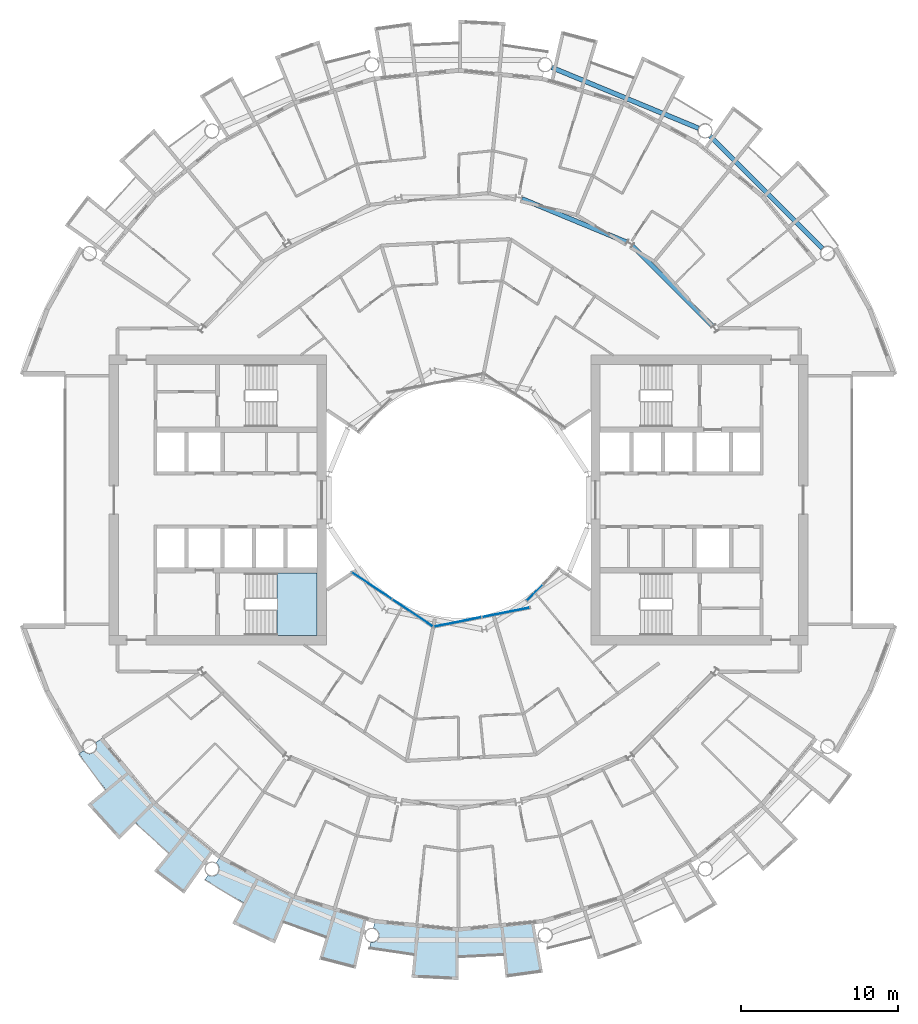
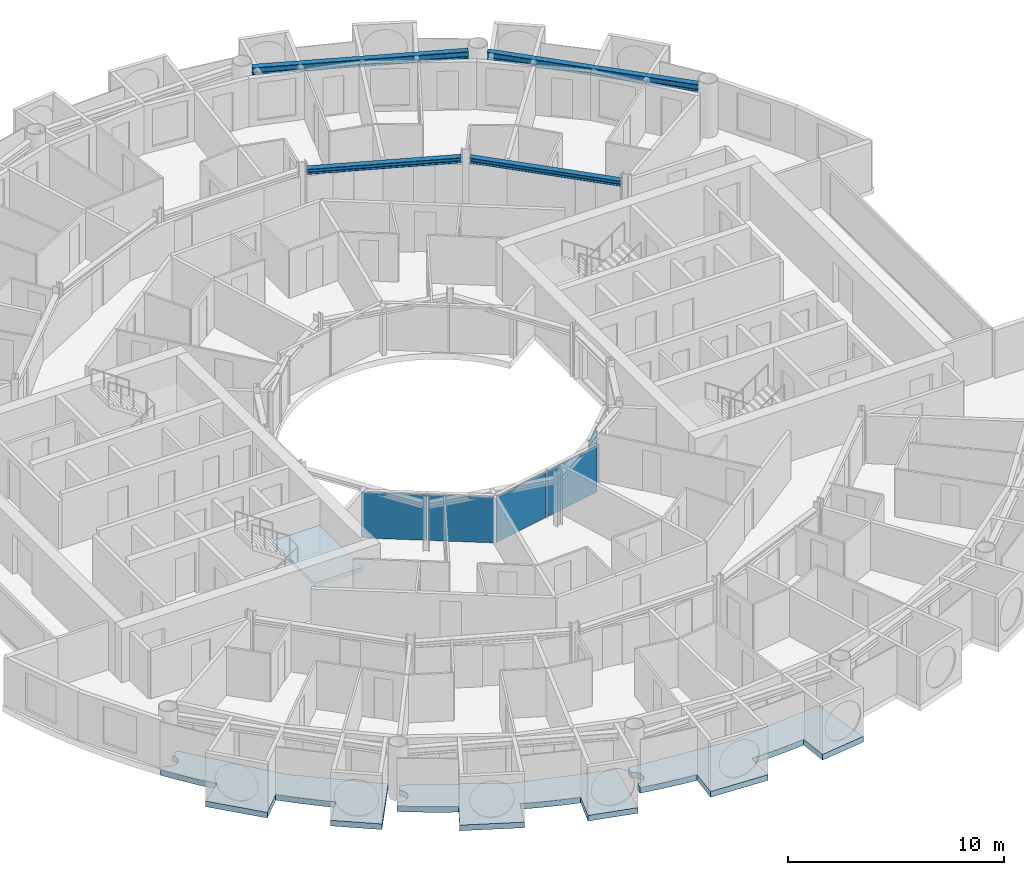
# One storey, part 10 of 26: 5 plates, 4 beams, 4 slabs, 4 elements without a shape of their own.
"""IFC4 building model written with IfcOpenShell, lengths in metres."""

from ifc_helpers import new_model, si_unit, direction, frame, origin, origin_2d, place, context, subcontext, project, spatial, polyline, rectangle, i_section, outline, extrude, material, layer, layer_set, material_profile, profile_set, type_object, element, aggregate, save


model = new_model("IFC4")

# Units and contexts
model_context = context("Model", 3, precision=1e-05, world=origin(), true_north=direction((0.0, 1.0)))
body_context = subcontext(model_context, "Body", "Model", "MODEL_VIEW")
ifc_project = project(units=[si_unit("LENGTHUNIT", "METRE"), si_unit("AREAUNIT", "SQUARE_METRE"), si_unit("VOLUMEUNIT", "CUBIC_METRE"), si_unit("PLANEANGLEUNIT", "RADIAN"), si_unit("MASSUNIT", "GRAM", prefix="KILO")], contexts=[model_context])

# Site, building, storey
site_placement = place(None, origin())
site = spatial("IfcSite", under=ifc_project, at=site_placement, CompositionType="ELEMENT")
building_placement = place(site_placement, origin())
building = spatial("IfcBuilding", under=site, at=building_placement, Name="Maasbend Ring Residences", CompositionType="ELEMENT")
storey_placement = place(building_placement, frame((0.0, 0.0, 123.85009765625)))
storey = spatial("IfcBuildingStorey", under=building, at=storey_placement, Name="L35", CompositionType="ELEMENT", Elevation=123.85009765625)

# Beams
ifc_material_1 = material(Name="Steel S355J2", Category="steel")
ifc_material_profile_1 = material_profile(ifc_material_1, i_section(OverallWidth=0.300048828125, OverallDepth=0.2900390625, WebThickness=0.008544921875, FlangeThickness=0.013916015625, FilletRadius=0.027099609375, at=origin_2d()), Name="HEA 300")
ifc_profile_set_1 = profile_set([ifc_material_profile_1], Name="Steel S355J2")
beam_type_1 = type_object("IfcBeamType", Name="Corridor ring beam HEA 300", PredefinedType="BEAM", material=ifc_profile_set_1)
for number, where, z_axis, x_axis, name in (
    (1, (16.14111328125, 11.044921875, 2.554931640625), (-0.707106781187, 0.707106781187, 0.0), (-0.707106781187, -0.707106781187, 0.0), "Corridor ring beam"),
    (2, (10.685791015625, 16.381103515625, 2.554931640625), (-0.923877693919, 0.382687871089, 0.0), (-0.382687871089, -0.923877693919, 0.0), "Corridor ring beam"),
):
    element("IfcBeam", number, at=place(storey_placement, frame(where, z_axis=z_axis, x_axis=x_axis)), inside=storey, type_object=beam_type_1, Name=name, PredefinedType="BEAM", context=body_context, shape_type="SweptSolid", body=[
        extrude(i_section(OverallWidth=0.300048828125, OverallDepth=0.2900390625, WebThickness=0.008544921875, FlangeThickness=0.013916015625, FilletRadius=0.027099609375, at=origin_2d()), origin(), (0.0, 0.0, 1.0), 7.20703125),
    ])
ifc_material_2 = material(Name="Steel S355J2", Category="steel")
ifc_material_profile_2 = material_profile(ifc_material_2, i_section(OverallWidth=0.300048828125, OverallDepth=0.39990234375, WebThickness=0.013427734375, FlangeThickness=0.02392578125, FilletRadius=0.027099609375, at=origin_2d()), Name="HEB 400")
ifc_profile_set_2 = profile_set([ifc_material_profile_2], Name="Steel S355J2")
beam_type_2 = type_object("IfcBeamType", Name="Spandrel ring beam HEB 400", PredefinedType="SPANDREL", material=ifc_profile_set_2)
for number, where, z_axis, x_axis, name in (
    (3, (23.124267578125, 15.990234375, 2.5), (-0.707106781187, 0.707106781187, 0.0), (-0.707106781187, -0.707106781187, 0.0), "Spandrel ring beam"),
    (4, (15.244873046875, 23.622314453125, 2.5), (-0.92388529709, 0.382669515144, 0.0), (-0.382669515144, -0.92388529709, 0.0), "Spandrel ring beam"),
):
    element("IfcBeam", number, at=place(storey_placement, frame(where, z_axis=z_axis, x_axis=x_axis)), inside=storey, type_object=beam_type_2, Name=name, PredefinedType="SPANDREL", context=body_context, shape_type="SweptSolid", body=[
        extrude(i_section(OverallWidth=0.300048828125, OverallDepth=0.39990234375, WebThickness=0.013427734375, FlangeThickness=0.02392578125, FilletRadius=0.027099609375, at=origin_2d()), origin(), (0.0, 0.0, 1.0), 10.089111328125),
    ])

# Stair, slab
ifc_material_3 = material(Name="Concrete C40/50", Category="concrete")
stair_type = type_object("IfcStairType", Name="CORE STAIR 18 RISERS", PredefinedType="HALF_TURN_STAIR", material=ifc_material_3)
stair_placement = place(storey_placement, origin())
stair = element("IfcStair", 5, at=stair_placement, inside=storey, type_object=stair_type, Name="L35 Exit stair ST-W1", PredefinedType="HALF_TURN_STAIR")
ifc_material_4 = material(Name="Concrete C40/50", Category="concrete")
ifc_layer_1 = layer(ifc_material_4, 0.199951171875)
ifc_layer_set_1 = layer_set([ifc_layer_1], Name="Concrete C40/50")
slab_type_1 = type_object("IfcSlabType", Name="CORE STAIR LANDING 200", PredefinedType="LANDING", material=ifc_layer_set_1)
slab_1_placement = place(storey_placement, frame((0.0, 0.0, 1.324951171875)))
slab_1 = element("IfcSlab", 6, at=slab_1_placement, type_object=slab_type_1, Name="ST-W1 landing 1", PredefinedType="LANDING", context=body_context, shape_type="SweptSolid", body=[
    extrude(outline(polyline([(-11.550048828125, -8.60009765625), (-9.0, -8.60009765625), (-9.0, -4.64990234375), (-11.550048828125, -4.64990234375), (-11.550048828125, -8.60009765625)])), origin(), (0.0, 0.0, 1.0), 0.199951171875),
])
aggregate(stair, [slab_1])

# Curtain wall, plates
ifc_material_5 = material(Name="Aluminium and clear glass", Category="aluminium")
ifc_layer_2 = layer(ifc_material_5, 0.179931640625)
ifc_layer_set_2 = layer_set([ifc_layer_2], Name="CW-W")
curtain_wall_type = type_object("IfcCurtainWallType", Name="CW-W", PredefinedType="NOTDEFINED", material=ifc_layer_set_2)
curtain_wall_1_placement = place(storey_placement, origin())
curtain_wall_1 = element("IfcCurtainWall", 7, at=curtain_wall_1_placement, inside=storey, type_object=curtain_wall_type, Name="Well curtain wall S1", PredefinedType="NOTDEFINED")
ifc_material_6 = material(Name="Glass clear laminated", Category="glass")
ifc_layer_3 = layer(ifc_material_6, 0.031982421875)
ifc_layer_set_3 = layer_set([ifc_layer_3], Name="CWP-W")
plate_type = type_object("IfcPlateType", Name="CWP-W", PredefinedType="CURTAIN_PANEL", material=ifc_layer_set_3)
plate_1_placement = place(storey_placement, frame((-5.51123046875, -5.44580078125, -0.000244140625), z_axis=(0.0, 0.0, 1.0), x_axis=(0.831469612303, -0.55557023302, 0.0)))
plate_1 = element("IfcPlate", 8, at=plate_1_placement, type_object=plate_type, Name="Glass panel well face", PredefinedType="CURTAIN_PANEL", context=body_context, shape_type="SweptSolid", body=[
    extrude(rectangle(XDim=3.053955078125, YDim=0.031982421875, at=origin_2d()), origin(), (0.0, 0.0, 1.0), 2.580078125),
])
plate_2_placement = place(storey_placement, frame((-2.922119140625, -7.17578125, -0.000244140625), z_axis=(0.0, 0.0, 1.0), x_axis=(0.831469612303, -0.55557023302, 0.0)))
plate_2 = element("IfcPlate", 9, at=plate_2_placement, type_object=plate_type, Name="Glass panel well face", PredefinedType="CURTAIN_PANEL", context=body_context, shape_type="SweptSolid", body=[
    extrude(rectangle(XDim=3.053955078125, YDim=0.031982421875, at=origin_2d()), origin(), (0.0, 0.0, 1.0), 2.580078125),
])
aggregate(curtain_wall_1, [plate_1, plate_2])

curtain_wall_2_placement = place(storey_placement, origin())
curtain_wall_2 = element("IfcCurtainWall", 10, at=curtain_wall_2_placement, inside=storey, type_object=curtain_wall_type, Name="Well curtain wall S2", PredefinedType="NOTDEFINED")
plate_3_placement = place(storey_placement, frame((-0.04638671875, -7.747802734375, -0.000244140625), z_axis=(0.0, 0.0, 1.0), x_axis=(0.980785280403, 0.195090322016, 0.0)))
plate_3 = element("IfcPlate", 11, at=plate_3_placement, type_object=plate_type, Name="Glass panel well face", PredefinedType="CURTAIN_PANEL", context=body_context, shape_type="SweptSolid", body=[
    extrude(rectangle(XDim=3.053955078125, YDim=0.031982421875, at=origin_2d()), origin(), (0.0, 0.0, 1.0), 2.580078125),
])
plate_4_placement = place(storey_placement, frame((3.0078125, -7.140380859375, -0.000244140625), z_axis=(0.0, 0.0, 1.0), x_axis=(0.980785280403, 0.195090322016, 0.0)))
plate_4 = element("IfcPlate", 12, at=plate_4_placement, type_object=plate_type, Name="Glass panel well face", PredefinedType="CURTAIN_PANEL", context=body_context, shape_type="SweptSolid", body=[
    extrude(rectangle(XDim=3.053955078125, YDim=0.031982421875, at=origin_2d()), origin(), (0.0, 0.0, 1.0), 2.580078125),
])
aggregate(curtain_wall_2, [plate_3, plate_4])

# Curtain wall, plate
curtain_wall_3_placement = place(storey_placement, origin())
curtain_wall_3 = element("IfcCurtainWall", 13, at=curtain_wall_3_placement, inside=storey, type_object=curtain_wall_type, Name="Well curtain wall S3", PredefinedType="NOTDEFINED")
plate_5_placement = place(storey_placement, frame((4.84375, -5.89013671875, -0.000244140625), z_axis=(0.0, 0.0, 1.0), x_axis=(0.707106781187, 0.707106781187, 0.0)))
plate_5 = element("IfcPlate", 14, at=plate_5_placement, type_object=plate_type, Name="Glass panel well face", PredefinedType="CURTAIN_PANEL", context=body_context, shape_type="SweptSolid", body=[
    extrude(rectangle(XDim=1.419677734375, YDim=0.031982421875, at=origin_2d()), origin(), (0.0, 0.0, 1.0), 2.580078125),
])
aggregate(curtain_wall_3, [plate_5])

# Slabs
ifc_material_7 = material(Name="Concrete C40/50", Category="concrete")
ifc_layer_4 = layer(ifc_material_7, 0.199951171875)
ifc_layer_set_4 = layer_set([ifc_layer_4], Name="Concrete C40/50")
slab_type_2 = type_object("IfcSlabType", Name="SL-LOGGIA", PredefinedType="FLOOR", material=ifc_layer_set_4)
slab_2_placement = place(storey_placement, frame((0.0, 0.0, -0.35009765625)))
element("IfcSlab", 15, at=slab_2_placement, inside=storey, type_object=slab_type_2, Name="Loggia floor 1", PredefinedType="FLOOR", context=body_context, shape_type="SweptSolid", body=[
    extrude(outline(polyline([(-15.89208984375, -23.844970703125), (-15.883056640625, -23.85009765625), (-15.873046875, -23.85595703125), (-15.862060546875, -23.861083984375), (-15.85205078125, -23.864990234375), (-15.842041015625, -23.8701171875), (-15.83203125, -23.8740234375), (-15.821044921875, -23.8779296875), (-15.81005859375, -23.881103515625), (-15.800048828125, -23.885009765625), (-15.7890625, -23.887939453125), (-15.778076171875, -23.89111328125), (-15.76708984375, -23.89306640625), (-15.756103515625, -23.89599609375), (-15.7451171875, -23.89794921875), (-15.73388671875, -23.89892578125), (-15.722900390625, -23.90087890625), (-15.7119140625, -23.902099609375), (-15.700927734375, -23.903076171875), (-15.68994140625, -23.904052734375), (-15.677978515625, -23.904052734375), (-15.6669921875, -23.904052734375), (-15.656005859375, -23.904052734375), (-15.64501953125, -23.904052734375), (-15.633056640625, -23.903076171875), (-15.6220703125, -23.902099609375), (-15.611083984375, -23.90087890625), (-15.60009765625, -23.89892578125), (-15.589111328125, -23.89794921875), (-15.577880859375, -23.89599609375), (-15.56689453125, -23.89306640625), (-15.555908203125, -23.89111328125), (-15.544921875, -23.887939453125), (-15.533935546875, -23.885009765625), (-15.52392578125, -23.881103515625), (-15.512939453125, -23.8779296875), (-15.5029296875, -23.8740234375), (-15.491943359375, -23.8701171875), (-15.48193359375, -23.864990234375), (-15.471923828125, -23.861083984375), (-15.4619140625, -23.85595703125), (-15.451904296875, -23.85009765625), (-15.44189453125, -23.844970703125), (-15.431884765625, -23.839111328125), (-15.423095703125, -23.8330078125), (-15.4130859375, -23.826904296875), (-15.404052734375, -23.821044921875), (-15.39501953125, -23.81396484375), (-15.385986328125, -23.80810546875), (-15.376953125, -23.801025390625), (-15.368896484375, -23.79296875), (-15.360107421875, -23.785888671875), (-15.35205078125, -23.778076171875), (-15.343994140625, -23.77099609375), (-15.3359375, -23.762939453125), (-15.327880859375, -23.75390625), (-15.321044921875, -23.74609375), (-15.31396484375, -23.737060546875), (-15.306884765625, -23.72900390625), (-15.300048828125, -23.719970703125), (-15.29296875, -23.7109375), (-15.287109375, -23.700927734375), (-15.281005859375, -23.69189453125), (-15.27490234375, -23.681884765625), (-15.26904296875, -23.673095703125), (-15.263916015625, -23.6630859375), (-15.259033203125, -23.653076171875), (-15.25390625, -23.64306640625), (-15.2490234375, -23.633056640625), (-15.2451171875, -23.6220703125), (-15.240966796875, -23.612060546875), (-15.237060546875, -23.60107421875), (-15.23291015625, -23.591064453125), (-15.22998046875, -23.580078125), (-15.22705078125, -23.569091796875), (-15.22412109375, -23.55810546875), (-15.220947265625, -23.548095703125), (-15.218994140625, -23.537109375), (-15.217041015625, -23.52587890625), (-15.215087890625, -23.513916015625), (-15.214111328125, -23.5029296875), (-15.2119140625, -23.491943359375), (-15.2109375, -23.48095703125), (-15.2109375, -23.469970703125), (-15.2099609375, -23.458984375), (-15.2099609375, -23.447021484375), (-15.2099609375, -23.43603515625), (-15.2109375, -23.425048828125), (-15.2109375, -23.4140625), (-15.2119140625, -23.403076171875), (-15.214111328125, -23.39111328125), (-15.215087890625, -23.3798828125), (-15.217041015625, -23.368896484375), (-15.218994140625, -23.35791015625), (-15.220947265625, -23.346923828125), (-15.22412109375, -23.3359375), (-15.22705078125, -23.325927734375), (-15.22998046875, -23.31494140625), (-15.23291015625, -23.303955078125), (-15.237060546875, -23.29296875), (-15.240966796875, -23.282958984375), (-15.2451171875, -23.27294921875), (-15.2490234375, -23.261962890625), (-15.25390625, -23.251953125), (-15.259033203125, -23.241943359375), (-15.263916015625, -23.23193359375), (-15.26904296875, -23.221923828125), (-15.27490234375, -23.2119140625), (-15.281005859375, -23.202880859375), (-15.287109375, -23.194091796875), (-15.29296875, -23.18408203125), (-15.300048828125, -23.175048828125), (-15.306884765625, -23.166015625), (-15.31396484375, -23.156982421875), (-15.321044921875, -23.14892578125), (-15.327880859375, -23.139892578125), (-15.3359375, -23.132080078125), (-15.343994140625, -23.1240234375), (-15.35205078125, -23.115966796875), (-15.360107421875, -23.10888671875), (-15.368896484375, -23.10107421875), (-15.376953125, -23.093994140625), (-15.385986328125, -23.0869140625), (-15.39501953125, -23.080078125), (-15.404052734375, -23.073974609375), (-15.4130859375, -23.06689453125), (-15.1669921875, -22.698974609375), (-15.1669921875, -22.698974609375), (-15.1669921875, -22.698974609375), (-12.806884765625, -23.9609375), (-10.447021484375, -25.221923828125), (-10.447021484375, -25.221923828125), (-10.447021484375, -25.221923828125), (-7.886962890625, -25.9990234375), (-5.843994140625, -26.617919921875), (-5.843994140625, -26.617919921875), (-5.843994140625, -26.617919921875), (-6.5400390625, -29.791015625), (-6.5400390625, -29.791015625), (-6.5400390625, -29.791015625), (-8.85400390625, -29.18701171875), (-8.85400390625, -29.18701171875), (-8.85400390625, -29.18701171875), (-8.41796875, -27.751953125), (-8.41796875, -27.751953125), (-8.41796875, -27.751953125), (-8.41796875, -27.751953125), (-8.41796875, -27.751953125), (-8.41796875, -27.751953125), (-8.41796875, -27.7509765625), (-8.41796875, -27.7509765625), (-8.41796875, -27.7509765625), (-8.41796875, -27.7509765625), (-8.41796875, -27.7509765625), (-8.4189453125, -27.7509765625), (-8.4189453125, -27.7509765625), (-8.4189453125, -27.7509765625), (-8.4189453125, -27.7509765625), (-8.4189453125, -27.7509765625), (-8.4189453125, -27.7509765625), (-9.322021484375, -27.4609375), (-9.322021484375, -27.4609375), (-10.215087890625, -27.14111328125), (-10.215087890625, -27.14111328125), (-11.096923828125, -26.79296875), (-11.096923828125, -26.79296875), (-11.096923828125, -26.79296875), (-11.097900390625, -26.79296875), (-11.097900390625, -26.79296875), (-11.097900390625, -26.79296875), (-11.097900390625, -26.79296875), (-11.097900390625, -26.79296875), (-11.097900390625, -26.79296875), (-11.097900390625, -26.79296875), (-11.097900390625, -26.79296875), (-11.097900390625, -26.79296875), (-11.097900390625, -26.79296875), (-11.097900390625, -26.79296875), (-11.097900390625, -26.79296875), (-11.097900390625, -26.79296875), (-11.097900390625, -26.79296875), (-11.672119140625, -28.177978515625), (-11.672119140625, -28.177978515625), (-11.672119140625, -28.177978515625), (-14.3779296875, -26.89892578125), (-14.3779296875, -26.89892578125), (-14.3779296875, -26.89892578125), (-13.6708984375, -25.575927734375), (-13.6708984375, -25.575927734375), (-13.6708984375, -25.575927734375), (-13.6708984375, -25.575927734375), (-13.6708984375, -25.575927734375), (-13.6708984375, -25.575927734375), (-13.6708984375, -25.575927734375), (-13.6708984375, -25.575927734375), (-13.6708984375, -25.575927734375), (-13.6708984375, -25.575927734375), (-13.6708984375, -25.575927734375), (-13.6708984375, -25.575927734375), (-13.6708984375, -25.575927734375), (-13.6708984375, -25.575927734375), (-13.6708984375, -25.575927734375), (-13.6708984375, -25.575927734375), (-13.6708984375, -25.574951171875), (-14.5, -25.114990234375), (-14.5, -25.114990234375), (-15.31396484375, -24.626953125), (-15.31396484375, -24.626953125), (-16.112060546875, -24.113037109375), (-16.112060546875, -24.113037109375), (-16.112060546875, -24.113037109375), (-15.9208984375, -23.826904296875), (-15.912109375, -23.8330078125), (-15.902099609375, -23.839111328125), (-15.89208984375, -23.844970703125)])), origin(), (0.0, 0.0, 1.0), 0.320068359375),
])
slab_3_placement = place(storey_placement, frame((0.0, 0.0, -0.35009765625)))
element("IfcSlab", 16, at=slab_3_placement, inside=storey, type_object=slab_type_2, Name="Loggia floor 3", PredefinedType="FLOOR", context=body_context, shape_type="SweptSolid", body=[
    extrude(outline(polyline([(-2.6630859375, -27.0380859375), (0.0, -27.300048828125), (0.0, -27.300048828125), (0.0, -27.300048828125), (2.6630859375, -27.0380859375), (4.7880859375, -26.827880859375), (4.7880859375, -26.827880859375), (4.7880859375, -26.827880859375), (5.35791015625, -30.02587890625), (5.35791015625, -30.02587890625), (5.35791015625, -30.02587890625), (2.989990234375, -30.35302734375), (2.989990234375, -30.35302734375), (2.989990234375, -30.35302734375), (2.843017578125, -28.861083984375), (2.843017578125, -28.861083984375), (2.843017578125, -28.861083984375), (2.843017578125, -28.861083984375), (2.842041015625, -28.861083984375), (2.842041015625, -28.861083984375), (2.842041015625, -28.861083984375), (2.842041015625, -28.861083984375), (2.842041015625, -28.861083984375), (2.842041015625, -28.860107421875), (2.842041015625, -28.860107421875), (2.842041015625, -28.860107421875), (2.842041015625, -28.860107421875), (2.842041015625, -28.860107421875), (2.842041015625, -28.860107421875), (2.842041015625, -28.860107421875), (2.842041015625, -28.860107421875), (1.89697265625, -28.93798828125), (1.89697265625, -28.93798828125), (0.948974609375, -28.98388671875), (0.948974609375, -28.98388671875), (0.0, -29.0), (0.0, -29.0), (0.0, -29.0), (0.0, -29.0), (0.0, -29.0), (0.0, -29.0), (0.0, -29.0), (0.0, -29.0), (0.0, -29.0), (0.0, -29.0), (0.0, -29.0), (0.0, -29.0), (0.0, -29.0), (0.0, -29.0), (0.0, -29.0), (0.0, -29.0), (0.0, -29.0), (0.0, -30.5), (0.0, -30.5), (0.0, -30.5), (-2.989990234375, -30.35302734375), (-2.989990234375, -30.35302734375), (-2.989990234375, -30.35302734375), (-2.843017578125, -28.861083984375), (-2.843017578125, -28.861083984375), (-2.843017578125, -28.861083984375), (-2.843017578125, -28.861083984375), (-2.843017578125, -28.861083984375), (-2.843017578125, -28.861083984375), (-2.843017578125, -28.861083984375), (-2.843017578125, -28.861083984375), (-2.843017578125, -28.860107421875), (-2.843017578125, -28.860107421875), (-2.843017578125, -28.860107421875), (-2.843017578125, -28.860107421875), (-2.843017578125, -28.860107421875), (-2.843017578125, -28.860107421875), (-2.843017578125, -28.860107421875), (-2.843017578125, -28.860107421875), (-2.843017578125, -28.860107421875), (-3.784912109375, -28.751953125), (-3.784912109375, -28.751953125), (-4.72412109375, -28.613037109375), (-4.72412109375, -28.613037109375), (-5.657958984375, -28.443115234375), (-5.657958984375, -28.443115234375), (-5.657958984375, -28.443115234375), (-5.591064453125, -28.10595703125), (-5.591064453125, -28.10595703125), (-5.580078125, -28.10791015625), (-5.569091796875, -28.110107421875), (-5.556884765625, -28.112060546875), (-5.5458984375, -28.113037109375), (-5.534912109375, -28.114013671875), (-5.52392578125, -28.114990234375), (-5.512939453125, -28.114990234375), (-5.501953125, -28.114990234375), (-5.489990234375, -28.114990234375), (-5.47900390625, -28.114990234375), (-5.468017578125, -28.114013671875), (-5.45703125, -28.113037109375), (-5.446044921875, -28.112060546875), (-5.43408203125, -28.110107421875), (-5.423095703125, -28.10791015625), (-5.412109375, -28.10595703125), (-5.40087890625, -28.10400390625), (-5.389892578125, -28.10107421875), (-5.3798828125, -28.09912109375), (-5.368896484375, -28.094970703125), (-5.35791015625, -28.092041015625), (-5.347900390625, -28.087890625), (-5.3369140625, -28.083984375), (-5.326904296875, -28.080078125), (-5.31591796875, -28.075927734375), (-5.305908203125, -28.071044921875), (-5.2958984375, -28.06591796875), (-5.285888671875, -28.06103515625), (-5.27587890625, -28.055908203125), (-5.26708984375, -28.050048828125), (-5.257080078125, -28.0439453125), (-5.248046875, -28.0380859375), (-5.238037109375, -28.031982421875), (-5.22900390625, -28.02490234375), (-5.219970703125, -28.01806640625), (-5.2119140625, -28.010986328125), (-5.202880859375, -28.00390625), (-5.195068359375, -27.9970703125), (-5.18603515625, -27.989013671875), (-5.177978515625, -27.98095703125), (-5.1708984375, -27.972900390625), (-5.1630859375, -27.965087890625), (-5.155029296875, -27.95703125), (-5.14794921875, -27.947998046875), (-5.14111328125, -27.93896484375), (-5.134033203125, -27.929931640625), (-5.1279296875, -27.9208984375), (-5.1220703125, -27.912109375), (-5.114990234375, -27.903076171875), (-5.110107421875, -27.89306640625), (-5.10400390625, -27.883056640625), (-5.097900390625, -27.8740234375), (-5.093017578125, -27.864013671875), (-5.087890625, -27.85302734375), (-5.083984375, -27.843017578125), (-5.0791015625, -27.8330078125), (-5.074951171875, -27.822998046875), (-5.071044921875, -27.81201171875), (-5.068115234375, -27.801025390625), (-5.06396484375, -27.791015625), (-5.06103515625, -27.780029296875), (-5.05810546875, -27.76904296875), (-5.055908203125, -27.758056640625), (-5.052978515625, -27.7470703125), (-5.051025390625, -27.736083984375), (-5.049072265625, -27.72509765625), (-5.048095703125, -27.714111328125), (-5.047119140625, -27.702880859375), (-5.0458984375, -27.69189453125), (-5.044921875, -27.680908203125), (-5.044921875, -27.6689453125), (-5.044921875, -27.657958984375), (-5.044921875, -27.64697265625), (-5.044921875, -27.635986328125), (-5.0458984375, -27.6240234375), (-5.047119140625, -27.613037109375), (-5.048095703125, -27.60205078125), (-5.049072265625, -27.591064453125), (-5.051025390625, -27.580078125), (-5.052978515625, -27.569091796875), (-5.055908203125, -27.55810546875), (-5.05810546875, -27.547119140625), (-5.06103515625, -27.535888671875), (-5.06396484375, -27.52490234375), (-5.068115234375, -27.514892578125), (-5.071044921875, -27.50390625), (-5.074951171875, -27.493896484375), (-5.0791015625, -27.48291015625), (-5.083984375, -27.472900390625), (-5.087890625, -27.462890625), (-5.093017578125, -27.452880859375), (-5.097900390625, -27.443115234375), (-5.10400390625, -27.43310546875), (-5.110107421875, -27.423095703125), (-5.114990234375, -27.4140625), (-5.1220703125, -27.404052734375), (-5.1279296875, -27.39501953125), (-5.134033203125, -27.385986328125), (-5.14111328125, -27.376953125), (-5.14794921875, -27.367919921875), (-5.155029296875, -27.360107421875), (-5.1630859375, -27.35107421875), (-5.1708984375, -27.343017578125), (-5.177978515625, -27.3349609375), (-5.18603515625, -27.326904296875), (-5.195068359375, -27.319091796875), (-5.202880859375, -27.31201171875), (-5.2119140625, -27.304931640625), (-5.219970703125, -27.298095703125), (-5.22900390625, -27.291015625), (-5.238037109375, -27.283935546875), (-5.248046875, -27.278076171875), (-5.257080078125, -27.27197265625), (-5.26708984375, -27.26611328125), (-5.27587890625, -27.260009765625), (-5.285888671875, -27.2548828125), (-5.2958984375, -27.25), (-5.305908203125, -27.2451171875), (-5.31591796875, -27.239990234375), (-5.326904296875, -27.236083984375), (-5.3369140625, -27.23193359375), (-5.347900390625, -27.22802734375), (-5.35791015625, -27.22412109375), (-5.368896484375, -27.220947265625), (-5.3798828125, -27.218017578125), (-5.389892578125, -27.215087890625), (-5.40087890625, -27.2119140625), (-5.412109375, -27.2099609375), (-5.412109375, -27.2099609375), (-5.325927734375, -26.77490234375), (-5.325927734375, -26.77490234375), (-5.325927734375, -26.77490234375), (-2.6630859375, -27.0380859375)])), origin(), (0.0, 0.0, 1.0), 0.320068359375),
])
slab_4_placement = place(storey_placement, frame((0.0, 0.0, -0.35009765625)))
element("IfcSlab", 17, at=slab_4_placement, inside=storey, type_object=slab_type_2, Name="Loggia floor 4", PredefinedType="FLOOR", context=body_context, shape_type="SweptSolid", body=[
    extrude(outline(polyline([(-23.81396484375, -15.93896484375), (-23.80810546875, -15.947998046875), (-23.801025390625, -15.95703125), (-23.79296875, -15.966064453125), (-23.785888671875, -15.97412109375), (-23.778076171875, -15.98193359375), (-23.77099609375, -15.989990234375), (-23.762939453125, -15.998046875), (-23.75390625, -16.006103515625), (-23.74609375, -16.012939453125), (-23.737060546875, -16.02001953125), (-23.72900390625, -16.027099609375), (-23.719970703125, -16.033935546875), (-23.7109375, -16.041015625), (-23.700927734375, -16.047119140625), (-23.69189453125, -16.052978515625), (-23.681884765625, -16.05908203125), (-23.673095703125, -16.06494140625), (-23.6630859375, -16.070068359375), (-23.653076171875, -16.074951171875), (-23.64306640625, -16.080078125), (-23.633056640625, -16.0849609375), (-23.6220703125, -16.089111328125), (-23.612060546875, -16.093017578125), (-23.60107421875, -16.096923828125), (-23.591064453125, -16.10107421875), (-23.580078125, -16.10400390625), (-23.569091796875, -16.10791015625), (-23.55810546875, -16.110107421875), (-23.548095703125, -16.113037109375), (-23.537109375, -16.114990234375), (-23.52587890625, -16.116943359375), (-23.513916015625, -16.118896484375), (-23.5029296875, -16.12109375), (-23.491943359375, -16.1220703125), (-23.48095703125, -16.123046875), (-23.469970703125, -16.1240234375), (-23.458984375, -16.1240234375), (-23.447021484375, -16.1240234375), (-23.43603515625, -16.1240234375), (-23.425048828125, -16.1240234375), (-23.4140625, -16.123046875), (-23.403076171875, -16.1220703125), (-23.39111328125, -16.12109375), (-23.3798828125, -16.118896484375), (-23.368896484375, -16.116943359375), (-23.35791015625, -16.114990234375), (-23.346923828125, -16.113037109375), (-23.3359375, -16.110107421875), (-23.325927734375, -16.10791015625), (-23.31494140625, -16.10400390625), (-23.303955078125, -16.10107421875), (-23.29296875, -16.096923828125), (-23.282958984375, -16.093017578125), (-23.27294921875, -16.089111328125), (-23.261962890625, -16.0849609375), (-23.251953125, -16.080078125), (-23.241943359375, -16.074951171875), (-23.23193359375, -16.070068359375), (-23.221923828125, -16.06494140625), (-23.2119140625, -16.05908203125), (-23.202880859375, -16.052978515625), (-23.194091796875, -16.047119140625), (-23.18408203125, -16.041015625), (-23.175048828125, -16.033935546875), (-23.166015625, -16.027099609375), (-23.156982421875, -16.02001953125), (-23.14892578125, -16.012939453125), (-23.139892578125, -16.006103515625), (-23.132080078125, -15.998046875), (-23.1240234375, -15.989990234375), (-23.115966796875, -15.98193359375), (-23.10888671875, -15.97412109375), (-23.10107421875, -15.966064453125), (-23.093994140625, -15.95703125), (-23.0869140625, -15.947998046875), (-23.080078125, -15.93896484375), (-23.073974609375, -15.929931640625), (-23.06689453125, -15.9208984375), (-23.06103515625, -15.912109375), (-23.054931640625, -15.902099609375), (-23.050048828125, -15.89208984375), (-23.0439453125, -15.883056640625), (-23.0390625, -15.873046875), (-23.033935546875, -15.862060546875), (-23.030029296875, -15.85205078125), (-23.02490234375, -15.842041015625), (-23.02099609375, -15.83203125), (-23.01708984375, -15.821044921875), (-23.012939453125, -15.81005859375), (-23.010009765625, -15.800048828125), (-23.007080078125, -15.7890625), (-23.00390625, -15.778076171875), (-23.001953125, -15.76708984375), (-22.9990234375, -15.756103515625), (-22.9970703125, -15.7451171875), (-22.9951171875, -15.73388671875), (-22.993896484375, -15.722900390625), (-22.992919921875, -15.7119140625), (-22.991943359375, -15.700927734375), (-22.990966796875, -15.68994140625), (-22.990966796875, -15.677978515625), (-22.989990234375, -15.6669921875), (-22.990966796875, -15.656005859375), (-22.990966796875, -15.64501953125), (-22.991943359375, -15.633056640625), (-22.992919921875, -15.6220703125), (-22.993896484375, -15.611083984375), (-22.9951171875, -15.60009765625), (-22.9970703125, -15.589111328125), (-22.9990234375, -15.577880859375), (-23.001953125, -15.56689453125), (-23.00390625, -15.555908203125), (-23.007080078125, -15.544921875), (-23.010009765625, -15.533935546875), (-23.012939453125, -15.52392578125), (-23.01708984375, -15.512939453125), (-23.02099609375, -15.5029296875), (-23.02490234375, -15.491943359375), (-23.030029296875, -15.48193359375), (-23.033935546875, -15.471923828125), (-23.0390625, -15.4619140625), (-23.0439453125, -15.451904296875), (-23.050048828125, -15.44189453125), (-23.054931640625, -15.431884765625), (-23.06103515625, -15.423095703125), (-23.06689453125, -15.4130859375), (-23.06689453125, -15.4130859375), (-22.698974609375, -15.1669921875), (-22.698974609375, -15.1669921875), (-22.698974609375, -15.1669921875), (-21.001953125, -17.236083984375), (-19.303955078125, -19.303955078125), (-19.303955078125, -19.303955078125), (-19.303955078125, -19.303955078125), (-17.236083984375, -21.001953125), (-15.5849609375, -22.35595703125), (-15.5849609375, -22.35595703125), (-15.5849609375, -22.35595703125), (-17.44189453125, -25.02001953125), (-17.44189453125, -25.02001953125), (-17.44189453125, -25.02001953125), (-19.34912109375, -23.576904296875), (-19.34912109375, -23.576904296875), (-19.34912109375, -23.576904296875), (-18.39794921875, -22.41796875), (-18.39794921875, -22.41796875), (-18.39794921875, -22.41796875), (-18.39794921875, -22.41796875), (-18.39794921875, -22.41796875), (-18.39794921875, -22.4169921875), (-18.39794921875, -22.4169921875), (-18.39794921875, -22.4169921875), (-18.39794921875, -22.4169921875), (-18.39794921875, -22.4169921875), (-18.39794921875, -22.4169921875), (-18.39794921875, -22.4169921875), (-18.39794921875, -22.4169921875), (-18.39794921875, -22.4169921875), (-18.39794921875, -22.4169921875), (-18.39794921875, -22.4169921875), (-18.39794921875, -22.4169921875), (-19.12109375, -21.802978515625), (-19.12109375, -21.802978515625), (-19.823974609375, -21.166015625), (-19.823974609375, -21.166015625), (-20.506103515625, -20.506103515625), (-20.506103515625, -20.506103515625), (-20.506103515625, -20.506103515625), (-20.506103515625, -20.506103515625), (-20.506103515625, -20.506103515625), (-20.506103515625, -20.506103515625), (-20.506103515625, -20.506103515625), (-20.506103515625, -20.506103515625), (-20.506103515625, -20.506103515625), (-20.506103515625, -20.506103515625), (-20.506103515625, -20.506103515625), (-20.506103515625, -20.506103515625), (-20.506103515625, -20.506103515625), (-20.506103515625, -20.506103515625), (-20.506103515625, -20.506103515625), (-20.506103515625, -20.506103515625), (-20.506103515625, -20.506103515625), (-21.56689453125, -21.56689453125), (-21.56689453125, -21.56689453125), (-21.56689453125, -21.56689453125), (-23.576904296875, -19.34912109375), (-23.576904296875, -19.34912109375), (-23.576904296875, -19.34912109375), (-22.41796875, -18.39794921875), (-22.41796875, -18.39794921875), (-22.41796875, -18.39794921875), (-22.41796875, -18.39794921875), (-22.41796875, -18.39794921875), (-22.41796875, -18.39794921875), (-22.41796875, -18.39697265625), (-22.41796875, -18.39697265625), (-22.41796875, -18.39697265625), (-22.41796875, -18.39697265625), (-22.41796875, -18.39697265625), (-22.41796875, -18.39697265625), (-22.41796875, -18.39697265625), (-22.41796875, -18.39697265625), (-22.41796875, -18.39697265625), (-22.41796875, -18.39697265625), (-22.41796875, -18.39697265625), (-23.007080078125, -17.654052734375), (-23.007080078125, -17.654052734375), (-23.572998046875, -16.89208984375), (-23.572998046875, -16.89208984375), (-24.113037109375, -16.112060546875), (-24.113037109375, -16.112060546875), (-24.113037109375, -16.112060546875), (-23.826904296875, -15.9208984375), (-23.826904296875, -15.9208984375), (-23.821044921875, -15.929931640625), (-23.81396484375, -15.93896484375)])), origin(), (0.0, 0.0, 1.0), 0.320068359375),
])

save(model, "model.ifc")
